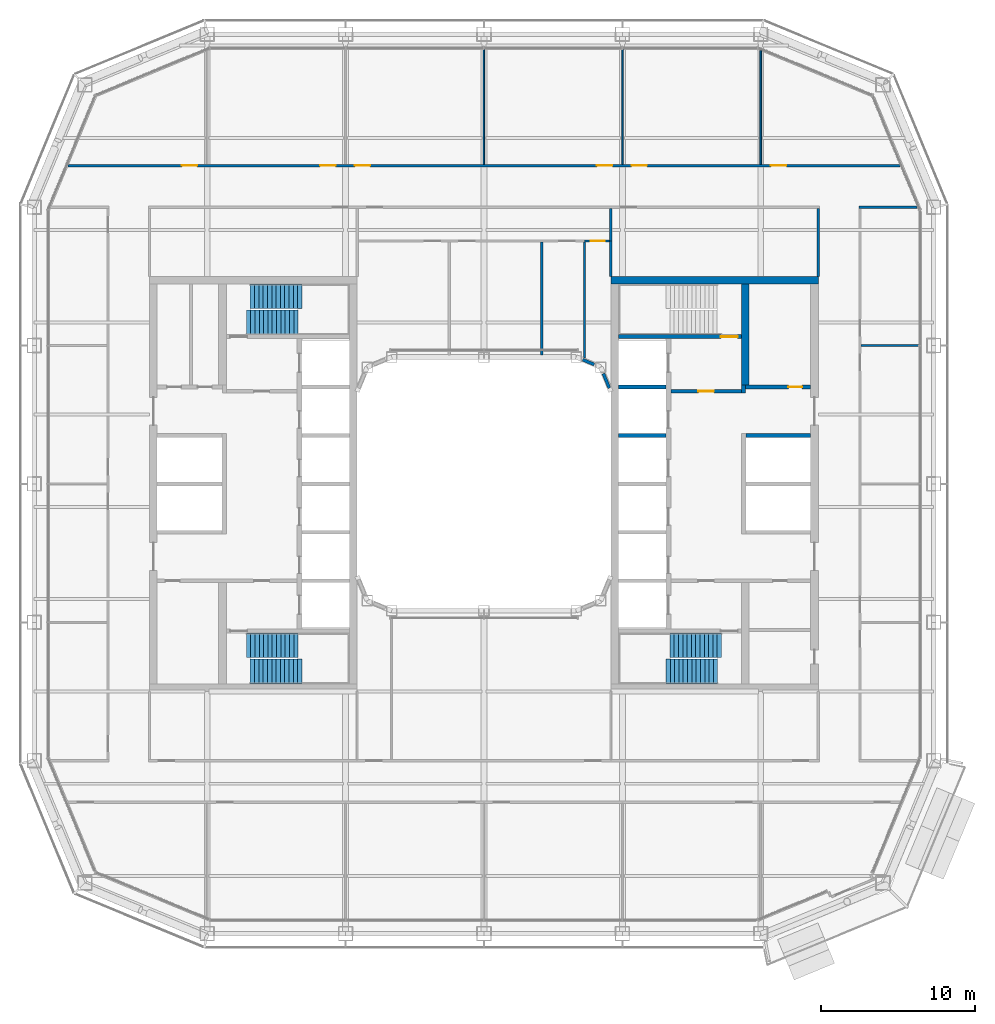
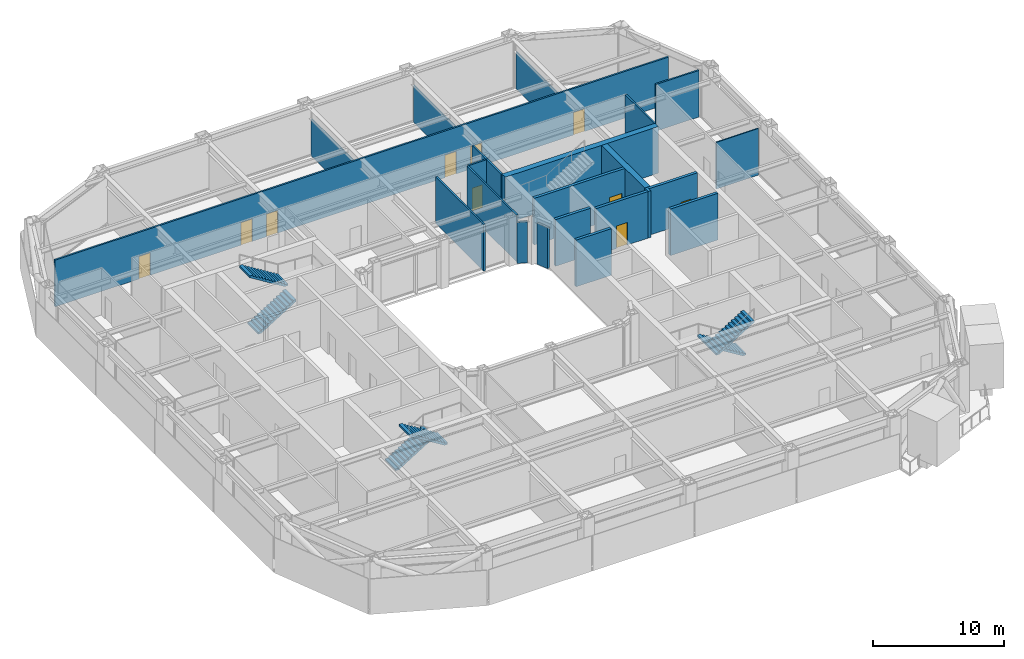
# One storey, part 14 of 23: 23 walls, 10 doors, 6 stair flights, 10 openings, 3 elements without a shape of their own.
"""IFC4 building model written with IfcOpenShell, lengths in metres."""

from ifc_helpers import new_model, si_unit, direction, frame, frame_2d, origin, place, context, subcontext, project, spatial, polyline, rectangle, outline, extrude, material, layer, layer_set, type_object, element, fill, aggregate, save


model = new_model("IFC4")

# Units and contexts
model_context = context("Model", 3, precision=1e-05, world=origin(), true_north=direction((0.0, 1.0)))
body_context = subcontext(model_context, "Body", "Model", "MODEL_VIEW")
ifc_project = project(units=[si_unit("LENGTHUNIT", "METRE"), si_unit("AREAUNIT", "SQUARE_METRE"), si_unit("VOLUMEUNIT", "CUBIC_METRE"), si_unit("PLANEANGLEUNIT", "RADIAN"), si_unit("MASSUNIT", "GRAM", prefix="KILO")], contexts=[model_context])

# Site, building, storey
site_placement = place(None, origin())
site = spatial("IfcSite", under=ifc_project, at=site_placement, CompositionType="ELEMENT")
building_placement = place(site_placement, origin())
building = spatial("IfcBuilding", under=site, at=building_placement, Name="Siwar Civic Tower", CompositionType="ELEMENT")
storey_placement = place(building_placement, frame((0.0, 0.0, 127.199951171875)))
storey = spatial("IfcBuildingStorey", under=building, at=storey_placement, Name="L27", CompositionType="ELEMENT", Elevation=127.199951171875)

# Wall, opening, door
ifc_material_1 = material(Name="Gypsum board on steel studs", Category="steel")
ifc_layer_1 = layer(ifc_material_1, 0.14990234375)
ifc_layer_set_1 = layer_set([ifc_layer_1], Name="Gypsum board on steel studs")
wall_type_1 = type_object("IfcWallType", Name="COMPARTMENT PARTITION 150 EI 60", PredefinedType="PARTITIONING", material=ifc_layer_set_1)
wall_1_placement = place(storey_placement, frame((6.5400390625, 15.800048828125, 0.0), z_axis=(0.0, 0.0, 1.0), x_axis=(1.0, 0.0, 0.0)))
wall_1 = element("IfcWall", 1, at=wall_1_placement, inside=storey, type_object=wall_type_1, Name="L27/wall/P12", PredefinedType="PARTITIONING", context=body_context, shape_type="SweptSolid", body=[
    extrude(rectangle(XDim=1.635009765625, YDim=0.14990234375, at=frame_2d((0.8173828125, 0.0))), origin(), (0.0, 0.0, 1.0), 4.35009765625),
])
opening_1_placement = place(wall_1_placement, frame((0.39990234375, 0.0, 0.0)))
opening_1 = element("IfcOpeningElement", 2, at=opening_1_placement, cuts=wall_1, Name="Opening D4", PredefinedType="OPENING", context=body_context, shape_type="SweptSolid", body=[
    extrude(rectangle(XDim=0.89990234375, YDim=2.10009765625, at=frame_2d((0.449951171875, 1.050048828125))), frame((0.0, 0.0849609375, 0.0), z_axis=(0.0, -1.0, 0.0), x_axis=(1.0, 0.0, 0.0)), (0.0, 0.0, 1.0), 0.169921875),
])
ifc_material_2 = material(Name="Timber, painted", Category="wood")
door_type_1 = type_object("IfcDoorType", Name="DOOR 900 X 2100 FD60", OperationType="SINGLE_SWING_LEFT", PredefinedType="DOOR", material=ifc_material_2)
door_1_placement = place(opening_1_placement, origin())
door_1 = element("IfcDoor", 3, at=door_1_placement, inside=storey, type_object=door_type_1, Name="L27-D17", OperationType="SINGLE_SWING_LEFT", OverallHeight=2.10009765625, OverallWidth=0.89990234375, PredefinedType="DOOR", context=body_context, shape_type="SweptSolid", body=[
    extrude(rectangle(XDim=0.89990234375, YDim=2.10009765625, at=frame_2d((0.449951171875, 1.050048828125))), frame((0.0, 0.02490234375, 0.0), z_axis=(0.0, -1.0, 0.0), x_axis=(1.0, 0.0, 0.0)), (0.0, 0.0, 1.0), 0.050048828125),
])
fill(opening_1, door_1)

# Walls
wall_2_placement = place(storey_placement, frame((6.5400390625, 8.18603515625, 0.0), z_axis=(0.0, 0.0, 1.0), x_axis=(0.0, 1.0, 0.0)))
element("IfcWall", 4, at=wall_2_placement, inside=storey, type_object=wall_type_1, Name="L27/wall/P31", PredefinedType="PARTITIONING", context=body_context, shape_type="SweptSolid", body=[
    extrude(rectangle(XDim=7.5390625, YDim=0.14990234375, at=frame_2d((3.76953125, 0.0))), origin(), (0.0, 0.0, 1.0), 4.35009765625),
])
wall_3_placement = place(storey_placement, frame((8.25, 13.5, 0.0), z_axis=(0.0, 0.0, 1.0), x_axis=(0.0, 1.0, 0.0)))
element("IfcWall", 5, at=wall_3_placement, inside=storey, type_object=wall_type_1, Name="L27/wall/P34", PredefinedType="PARTITIONING", context=body_context, shape_type="SweptSolid", body=[
    extrude(rectangle(XDim=2.300048828125, YDim=0.14990234375, at=frame_2d((1.14990234375, 0.0))), origin(), (0.0, 0.0, 1.0), 4.35009765625),
])

# Wall, opening, door
ifc_material_3 = material(Name="Concrete C60/75", Category="concrete")
ifc_layer_2 = layer(ifc_material_3, 0.25)
ifc_layer_set_2 = layer_set([ifc_layer_2], Name="Concrete C60/75")
wall_type_2 = type_object("IfcWallType", Name="CORE-WALL-RC250", PredefinedType="SHEAR", material=ifc_layer_set_2)
wall_4_placement = place(storey_placement, frame((12.14990234375, 6.02490234375, 0.0), z_axis=(0.0, 0.0, 1.0), x_axis=(1.0, 0.0, 0.0)))
wall_4 = element("IfcWall", 6, at=wall_4_placement, inside=storey, type_object=wall_type_2, Name="Core wall E", PredefinedType="SHEAR", context=body_context, shape_type="SweptSolid", body=[
    extrude(rectangle(XDim=4.60009765625, YDim=0.25, at=frame_2d((2.300048828125, 0.0))), origin(), (0.0, 0.0, 1.0), 4.35009765625),
])
opening_2_placement = place(wall_4_placement, frame((1.800048828125, 0.0, 0.0)))
opening_2 = element("IfcOpeningElement", 7, at=opening_2_placement, cuts=wall_4, Name="Opening L27-CE01", PredefinedType="OPENING", context=body_context, shape_type="SweptSolid", body=[
    extrude(rectangle(XDim=1.0, YDim=2.10009765625, at=frame_2d((0.5, 1.050048828125))), frame((0.0, 0.135009765625, 0.0), z_axis=(0.0, -1.0, 0.0), x_axis=(1.0, 0.0, 0.0)), (0.0, 0.0, 1.0), 0.27001953125),
])
ifc_material_4 = material(Name="Steel door leaf", Category="steel")
door_type_2 = type_object("IfcDoorType", Name="CORE-DOOR-FD30S", OperationType="SINGLE_SWING_LEFT", PredefinedType="DOOR", material=ifc_material_4)
door_2_placement = place(opening_2_placement, origin())
door_2 = element("IfcDoor", 8, at=door_2_placement, inside=storey, type_object=door_type_2, Name="Firefighting lobby door L27-CE01", OperationType="SINGLE_SWING_RIGHT", OverallHeight=2.10009765625, OverallWidth=1.0, PredefinedType="DOOR", context=body_context, shape_type="SweptSolid", body=[
    extrude(rectangle(XDim=1.0, YDim=2.10009765625, at=frame_2d((0.5, 1.050048828125))), frame((0.0, 0.02490234375, 0.0), z_axis=(0.0, -1.0, 0.0), x_axis=(1.0, 0.0, 0.0)), (0.0, 0.0, 1.0), 0.050048828125),
])
fill(opening_2, door_2)

# Wall
wall_5_placement = place(storey_placement, frame((16.875, 5.89990234375, 0.0), z_axis=(0.0, 0.0, 1.0), x_axis=(0.0, 1.0, 0.0)))
element("IfcWall", 9, at=wall_5_placement, inside=storey, type_object=wall_type_2, Name="Core wall E", PredefinedType="SHEAR", context=body_context, shape_type="SweptSolid", body=[
    extrude(rectangle(XDim=0.525146484375, YDim=0.25, at=frame_2d((0.2626953125, 0.0))), origin(), (0.0, 0.0, 1.0), 4.35009765625),
])

# Wall, opening, door
wall_6_placement = place(storey_placement, frame((17.0, 6.300048828125, 0.0), z_axis=(0.0, 0.0, 1.0), x_axis=(1.0, 0.0, 0.0)))
wall_6 = element("IfcWall", 10, at=wall_6_placement, inside=storey, type_object=wall_type_2, Name="Core wall E", PredefinedType="SHEAR", context=body_context, shape_type="SweptSolid", body=[
    extrude(rectangle(XDim=4.25, YDim=0.25, at=frame_2d((2.125, 0.0))), origin(), (0.0, 0.0, 1.0), 4.35009765625),
])
opening_3_placement = place(wall_6_placement, frame((2.800048828125, 0.0, 0.0)))
opening_3 = element("IfcOpeningElement", 11, at=opening_3_placement, cuts=wall_6, Name="Opening L27-CE13", PredefinedType="OPENING", context=body_context, shape_type="SweptSolid", body=[
    extrude(rectangle(XDim=0.89990234375, YDim=2.10009765625, at=frame_2d((0.449951171875, 1.050048828125))), frame((0.0, 0.135009765625, 0.0), z_axis=(0.0, -1.0, 0.0), x_axis=(1.0, 0.0, 0.0)), (0.0, 0.0, 1.0), 0.27001953125),
])
ifc_material_5 = material(Name="Steel door leaf", Category="steel")
door_type_3 = type_object("IfcDoorType", Name="CORE-DOOR-ROOM", OperationType="SINGLE_SWING_LEFT", PredefinedType="DOOR", material=ifc_material_5)
door_3_placement = place(opening_3_placement, origin())
door_3 = element("IfcDoor", 12, at=door_3_placement, inside=storey, type_object=door_type_3, Name="Core room door L27-CE13", OperationType="SINGLE_SWING_LEFT", OverallHeight=2.10009765625, OverallWidth=0.89990234375, PredefinedType="DOOR", context=body_context, shape_type="SweptSolid", body=[
    extrude(rectangle(XDim=0.89990234375, YDim=2.10009765625, at=frame_2d((0.449951171875, 1.050048828125))), frame((0.0, 0.02490234375, 0.0), z_axis=(0.0, -1.0, 0.0), x_axis=(1.0, 0.0, 0.0)), (0.0, 0.0, 1.0), 0.050048828125),
])
fill(opening_3, door_3)

# Walls
wall_7_placement = place(storey_placement, frame((17.050048828125, 3.14990234375, 0.0), z_axis=(0.0, 0.0, 1.0), x_axis=(1.0, 0.0, 0.0)))
element("IfcWall", 13, at=wall_7_placement, inside=storey, type_object=wall_type_2, Name="Core wall E", PredefinedType="SHEAR", context=body_context, shape_type="SweptSolid", body=[
    extrude(rectangle(XDim=4.199951171875, YDim=0.25, at=frame_2d((2.10009765625, 0.0))), origin(), (0.0, 0.0, 1.0), 4.35009765625),
])
for number, where, z_axis, x_axis, name in (
    (14, (8.75, 3.14990234375, 0.0), (0.0, 0.0, 1.0), (1.0, 0.0, 0.0), "Core wall E"),
    (15, (8.75, 6.300048828125, 0.0), (0.0, 0.0, 1.0), (1.0, 0.0, 0.0), "Core wall E"),
):
    element("IfcWall", number, at=place(storey_placement, frame(where, z_axis=z_axis, x_axis=x_axis)), inside=storey, type_object=wall_type_2, Name=name, PredefinedType="SHEAR", context=body_context, shape_type="SweptSolid", body=[
        extrude(rectangle(XDim=3.10009765625, YDim=0.25, at=frame_2d((1.550048828125, 0.0))), origin(), (0.0, 0.0, 1.0), 4.35009765625),
    ])

# Wall, opening, door
wall_8_placement = place(storey_placement, frame((8.75, 9.574951171875, 0.0), z_axis=(0.0, 0.0, 1.0), x_axis=(1.0, 0.0, 0.0)))
wall_8 = element("IfcWall", 16, at=wall_8_placement, inside=storey, type_object=wall_type_2, Name="Core wall E", PredefinedType="SHEAR", context=body_context, shape_type="SweptSolid", body=[
    extrude(rectangle(XDim=8.0, YDim=0.25, at=frame_2d((4.0, 0.0))), origin(), (0.0, 0.0, 1.0), 4.35009765625),
])
opening_4_placement = place(wall_8_placement, frame((6.64990234375, 0.0, 0.0)))
opening_4 = element("IfcOpeningElement", 17, at=opening_4_placement, cuts=wall_8, Name="Opening L27-CE03", PredefinedType="OPENING", context=body_context, shape_type="SweptSolid", body=[
    extrude(rectangle(XDim=1.10009765625, YDim=2.10009765625, at=frame_2d((0.550048828125, 1.050048828125))), frame((0.0, 0.135009765625, 0.0), z_axis=(0.0, -1.0, 0.0), x_axis=(1.0, 0.0, 0.0)), (0.0, 0.0, 1.0), 0.27001953125),
])
ifc_material_6 = material(Name="Steel door leaf", Category="steel")
door_type_4 = type_object("IfcDoorType", Name="CORE-DOOR-FD60S", OperationType="SINGLE_SWING_LEFT", PredefinedType="DOOR", material=ifc_material_6)
door_4_placement = place(opening_4_placement, origin())
door_4 = element("IfcDoor", 18, at=door_4_placement, inside=storey, type_object=door_type_4, Name="Stair door L27-CE03", OperationType="SINGLE_SWING_LEFT", OverallHeight=2.10009765625, OverallWidth=1.10009765625, PredefinedType="DOOR", context=body_context, shape_type="SweptSolid", body=[
    extrude(rectangle(XDim=1.10009765625, YDim=2.10009765625, at=frame_2d((0.550048828125, 1.050048828125))), frame((0.0, 0.02490234375, 0.0), z_axis=(0.0, -1.0, 0.0), x_axis=(1.0, 0.0, 0.0)), (0.0, 0.0, 1.0), 0.050048828125),
])
fill(opening_4, door_4)

# Walls
ifc_material_7 = material(Name="Concrete C60/75", Category="concrete")
ifc_layer_3 = layer(ifc_material_7, 0.5)
ifc_layer_set_3 = layer_set([ifc_layer_3], Name="Concrete C60/75")
wall_type_3 = type_object("IfcWallType", Name="CORE-WALL-RC500", PredefinedType="SHEAR", material=ifc_layer_set_3)
wall_9_placement = place(storey_placement, frame((17.0, 6.425048828125, 0.0), z_axis=(0.0, 0.0, 1.0), x_axis=(0.0, 1.0, 0.0)))
element("IfcWall", 19, at=wall_9_placement, inside=storey, type_object=wall_type_3, Name="Core wall E", PredefinedType="SHEAR", context=body_context, shape_type="SweptSolid", body=[
    extrude(rectangle(XDim=6.574951171875, YDim=0.5, at=frame_2d((3.28759765625, 0.0))), origin(), (0.0, 0.0, 1.0), 4.35009765625),
])
wall_10_placement = place(storey_placement, frame((8.25, 13.25, 0.0), z_axis=(0.0, 0.0, 1.0), x_axis=(1.0, 0.0, 0.0)))
element("IfcWall", 20, at=wall_10_placement, inside=storey, type_object=wall_type_3, Name="Core wall E", PredefinedType="SHEAR", context=body_context, shape_type="SweptSolid", body=[
    extrude(rectangle(XDim=13.5, YDim=0.5, at=frame_2d((6.75, 0.0))), origin(), (0.0, 0.0, 1.0), 4.35009765625),
])
ifc_material_8 = material(Name="Gypsum board on steel studs", Category="steel")
ifc_layer_4 = layer(ifc_material_8, 0.14990234375)
ifc_layer_set_4 = layer_set([ifc_layer_4], Name="Gypsum board on steel studs")
wall_type_4 = type_object("IfcWallType", Name="CORRIDOR PARTITION 150 EI 30", PredefinedType="PARTITIONING", material=ifc_layer_set_4)
wall_11_placement = place(storey_placement, frame((24.375, 18.0, 0.0), z_axis=(0.0, 0.0, 1.0), x_axis=(1.0, 0.0, 0.0)))
element("IfcWall", 21, at=wall_11_placement, inside=storey, type_object=wall_type_4, Name="L27/wall/P15", PredefinedType="PARTITIONING", context=body_context, shape_type="SweptSolid", body=[
    extrude(rectangle(XDim=3.802978515625, YDim=0.14990234375, at=frame_2d((1.9013671875, 0.0))), origin(), (0.0, 0.0, 1.0), 4.35009765625),
])

# Wall, openings, doors
wall_12_placement = place(storey_placement, frame((-27.06005859375, 20.699951171875, 0.0), z_axis=(0.0, 0.0, 1.0), x_axis=(1.0, 0.0, 0.0)))
wall_12 = element("IfcWall", 22, at=wall_12_placement, inside=storey, type_object=wall_type_4, Name="L27/wall/P16", PredefinedType="PARTITIONING", context=body_context, shape_type="SweptSolid", body=[
    extrude(rectangle(XDim=54.1201171875, YDim=0.14990234375, at=frame_2d((27.06005859375, 0.0))), origin(), (0.0, 0.0, 1.0), 4.35009765625),
])
opening_5_placement = place(wall_12_placement, frame((16.409912109375, 0.0, 0.0)))
opening_5 = element("IfcOpeningElement", 23, at=opening_5_placement, cuts=wall_12, Name="Opening D1", PredefinedType="OPENING", context=body_context, shape_type="SweptSolid", body=[
    extrude(rectangle(XDim=1.0, YDim=2.10009765625, at=frame_2d((0.5, 1.050048828125))), frame((0.0, 0.0849609375, 0.0), z_axis=(0.0, -1.0, 0.0), x_axis=(1.0, 0.0, 0.0)), (0.0, 0.0, 1.0), 0.169921875),
])
opening_6_placement = place(wall_12_placement, frame((18.659912109375, 0.0, 0.0)))
opening_6 = element("IfcOpeningElement", 24, at=opening_6_placement, cuts=wall_12, Name="Opening D1", PredefinedType="OPENING", context=body_context, shape_type="SweptSolid", body=[
    extrude(rectangle(XDim=1.0, YDim=2.10009765625, at=frame_2d((0.5, 1.050048828125))), frame((0.0, 0.0849609375, 0.0), z_axis=(0.0, -1.0, 0.0), x_axis=(1.0, 0.0, 0.0)), (0.0, 0.0, 1.0), 0.169921875),
])
opening_7_placement = place(wall_12_placement, frame((34.409912109375, 0.0, 0.0)))
opening_7 = element("IfcOpeningElement", 25, at=opening_7_placement, cuts=wall_12, Name="Opening D1", PredefinedType="OPENING", context=body_context, shape_type="SweptSolid", body=[
    extrude(rectangle(XDim=1.0, YDim=2.10009765625, at=frame_2d((0.5, 1.050048828125))), frame((0.0, 0.0849609375, 0.0), z_axis=(0.0, -1.0, 0.0), x_axis=(1.0, 0.0, 0.0)), (0.0, 0.0, 1.0), 0.169921875),
])
opening_8_placement = place(wall_12_placement, frame((36.659912109375, 0.0, 0.0)))
opening_8 = element("IfcOpeningElement", 26, at=opening_8_placement, cuts=wall_12, Name="Opening D1", PredefinedType="OPENING", context=body_context, shape_type="SweptSolid", body=[
    extrude(rectangle(XDim=1.0, YDim=2.10009765625, at=frame_2d((0.5, 1.050048828125))), frame((0.0, 0.0849609375, 0.0), z_axis=(0.0, -1.0, 0.0), x_axis=(1.0, 0.0, 0.0)), (0.0, 0.0, 1.0), 0.169921875),
])
opening_9_placement = place(wall_12_placement, frame((7.409912109375, 0.0, 0.0)))
opening_9 = element("IfcOpeningElement", 27, at=opening_9_placement, cuts=wall_12, Name="Opening D1", PredefinedType="OPENING", context=body_context, shape_type="SweptSolid", body=[
    extrude(rectangle(XDim=1.0, YDim=2.10009765625, at=frame_2d((0.5, 1.050048828125))), frame((0.0, 0.0849609375, 0.0), z_axis=(0.0, -1.0, 0.0), x_axis=(1.0, 0.0, 0.0)), (0.0, 0.0, 1.0), 0.169921875),
])
opening_10_placement = place(wall_12_placement, frame((45.719970703125, 0.0, 0.0)))
opening_10 = element("IfcOpeningElement", 28, at=opening_10_placement, cuts=wall_12, Name="Opening D1", PredefinedType="OPENING", context=body_context, shape_type="SweptSolid", body=[
    extrude(rectangle(XDim=1.0, YDim=2.10009765625, at=frame_2d((0.5, 1.050048828125))), frame((0.0, 0.0849609375, 0.0), z_axis=(0.0, -1.0, 0.0), x_axis=(1.0, 0.0, 0.0)), (0.0, 0.0, 1.0), 0.169921875),
])
ifc_material_9 = material(Name="Timber, painted", Category="wood")
door_type_5 = type_object("IfcDoorType", Name="DOOR 1000 X 2100 FD30", OperationType="SINGLE_SWING_LEFT", PredefinedType="DOOR", material=ifc_material_9)
door_5_placement = place(opening_5_placement, origin())
door_5 = element("IfcDoor", 29, at=door_5_placement, inside=storey, type_object=door_type_5, Name="L27-D01", OperationType="SINGLE_SWING_LEFT", OverallHeight=2.10009765625, OverallWidth=1.0, PredefinedType="DOOR", context=body_context, shape_type="SweptSolid", body=[
    extrude(rectangle(XDim=1.0, YDim=2.10009765625, at=frame_2d((0.5, 1.050048828125))), frame((0.0, 0.02490234375, 0.0), z_axis=(0.0, -1.0, 0.0), x_axis=(1.0, 0.0, 0.0)), (0.0, 0.0, 1.0), 0.050048828125),
])
fill(opening_5, door_5)
door_6_placement = place(opening_6_placement, origin())
door_6 = element("IfcDoor", 30, at=door_6_placement, inside=storey, type_object=door_type_5, Name="L27-D02", OperationType="SINGLE_SWING_RIGHT", OverallHeight=2.10009765625, OverallWidth=1.0, PredefinedType="DOOR", context=body_context, shape_type="SweptSolid", body=[
    extrude(rectangle(XDim=1.0, YDim=2.10009765625, at=frame_2d((0.5, 1.050048828125))), frame((0.0, 0.02490234375, 0.0), z_axis=(0.0, -1.0, 0.0), x_axis=(1.0, 0.0, 0.0)), (0.0, 0.0, 1.0), 0.050048828125),
])
fill(opening_6, door_6)
door_7_placement = place(opening_7_placement, origin())
door_7 = element("IfcDoor", 31, at=door_7_placement, inside=storey, type_object=door_type_5, Name="L27-D03", OperationType="SINGLE_SWING_LEFT", OverallHeight=2.10009765625, OverallWidth=1.0, PredefinedType="DOOR", context=body_context, shape_type="SweptSolid", body=[
    extrude(rectangle(XDim=1.0, YDim=2.10009765625, at=frame_2d((0.5, 1.050048828125))), frame((0.0, 0.02490234375, 0.0), z_axis=(0.0, -1.0, 0.0), x_axis=(1.0, 0.0, 0.0)), (0.0, 0.0, 1.0), 0.050048828125),
])
fill(opening_7, door_7)
door_8_placement = place(opening_8_placement, origin())
door_8 = element("IfcDoor", 32, at=door_8_placement, inside=storey, type_object=door_type_5, Name="L27-D04", OperationType="SINGLE_SWING_RIGHT", OverallHeight=2.10009765625, OverallWidth=1.0, PredefinedType="DOOR", context=body_context, shape_type="SweptSolid", body=[
    extrude(rectangle(XDim=1.0, YDim=2.10009765625, at=frame_2d((0.5, 1.050048828125))), frame((0.0, 0.02490234375, 0.0), z_axis=(0.0, -1.0, 0.0), x_axis=(1.0, 0.0, 0.0)), (0.0, 0.0, 1.0), 0.050048828125),
])
fill(opening_8, door_8)
door_9_placement = place(opening_9_placement, origin())
door_9 = element("IfcDoor", 33, at=door_9_placement, inside=storey, type_object=door_type_5, Name="L27-D09", OperationType="SINGLE_SWING_LEFT", OverallHeight=2.10009765625, OverallWidth=1.0, PredefinedType="DOOR", context=body_context, shape_type="SweptSolid", body=[
    extrude(rectangle(XDim=1.0, YDim=2.10009765625, at=frame_2d((0.5, 1.050048828125))), frame((0.0, 0.02490234375, 0.0), z_axis=(0.0, -1.0, 0.0), x_axis=(1.0, 0.0, 0.0)), (0.0, 0.0, 1.0), 0.050048828125),
])
fill(opening_9, door_9)
door_10_placement = place(opening_10_placement, origin())
door_10 = element("IfcDoor", 34, at=door_10_placement, inside=storey, type_object=door_type_5, Name="L27-D10", OperationType="SINGLE_SWING_RIGHT", OverallHeight=2.10009765625, OverallWidth=1.0, PredefinedType="DOOR", context=body_context, shape_type="SweptSolid", body=[
    extrude(rectangle(XDim=1.0, YDim=2.10009765625, at=frame_2d((0.5, 1.050048828125))), frame((0.0, 0.02490234375, 0.0), z_axis=(0.0, -1.0, 0.0), x_axis=(1.0, 0.0, 0.0)), (0.0, 0.0, 1.0), 0.050048828125),
])
fill(opening_10, door_10)

# Walls
wall_13_placement = place(storey_placement, frame((3.75, 8.3701171875, 0.0), z_axis=(0.0, 0.0, 1.0), x_axis=(0.0, 1.0, 0.0)))
element("IfcWall", 35, at=wall_13_placement, inside=storey, type_object=wall_type_4, Name="L27/wall/P30", PredefinedType="PARTITIONING", context=body_context, shape_type="SweptSolid", body=[
    extrude(rectangle(XDim=7.35498046875, YDim=0.14990234375, at=frame_2d((3.677490234375, 0.0))), origin(), (0.0, 0.0, 1.0), 4.35009765625),
])
wall_14_placement = place(storey_placement, frame((8.25, 15.800048828125, 0.0), z_axis=(0.0, 0.0, 1.0), x_axis=(0.0, 1.0, 0.0)))
element("IfcWall", 36, at=wall_14_placement, inside=storey, type_object=wall_type_4, Name="L27/wall/P33", PredefinedType="PARTITIONING", context=body_context, shape_type="SweptSolid", body=[
    extrude(rectangle(XDim=2.125, YDim=0.14990234375, at=frame_2d((1.0625, 0.0))), origin(), (0.0, 0.0, 1.0), 4.35009765625),
])
wall_15_placement = place(storey_placement, frame((21.75, 13.5, 0.0), z_axis=(0.0, 0.0, 1.0), x_axis=(0.0, 1.0, 0.0)))
element("IfcWall", 37, at=wall_15_placement, inside=storey, type_object=wall_type_4, Name="L27/wall/P40", PredefinedType="PARTITIONING", context=body_context, shape_type="SweptSolid", body=[
    extrude(rectangle(XDim=4.425048828125, YDim=0.14990234375, at=frame_2d((2.21240234375, 0.0))), origin(), (0.0, 0.0, 1.0), 4.35009765625),
])
ifc_material_10 = material(Name="Aluminium clad insulated panel", Category="aluminium")
ifc_layer_5 = layer(ifc_material_10, 0.199951171875)
ifc_layer_set_5 = layer_set([ifc_layer_5], Name="Aluminium clad insulated panel")
wall_type_5 = type_object("IfcWallType", Name="ENV-WALL-WELL", PredefinedType="STANDARD", material=ifc_layer_set_5)
wall_16_placement = place(storey_placement, frame((8.154296875, 6.23095703125, 0.0), z_axis=(0.0, 0.0, 1.0), x_axis=(-0.382769662028, 0.923843810301, 0.0)))
element("IfcWall", 38, at=wall_16_placement, inside=storey, type_object=wall_type_5, Name="Light well corner wall NE1", PredefinedType="STANDARD", context=body_context, shape_type="SweptSolid", body=[
    extrude(rectangle(XDim=1.014892578125, YDim=0.199951171875, at=frame_2d((0.50732421875, 0.0))), origin(), (0.0, 0.0, 1.0), 3.825927734375),
])
wall_17_placement = place(storey_placement, frame((7.16845703125, 7.765869140625, 0.0), z_axis=(0.0, 0.0, 1.0), x_axis=(-0.923817771127, 0.382832503518, 0.0)))
element("IfcWall", 39, at=wall_17_placement, inside=storey, type_object=wall_type_5, Name="Light well corner wall NE2", PredefinedType="STANDARD", context=body_context, shape_type="SweptSolid", body=[
    extrude(rectangle(XDim=0.807373046875, YDim=0.199951171875, at=frame_2d((0.40380859375, 0.0))), origin(), (0.0, 0.0, 1.0), 3.825927734375),
])
ifc_material_11 = material(Name="Gypsum board on steel studs", Category="steel")
ifc_layer_6 = layer(ifc_material_11, 0.10009765625)
ifc_layer_set_6 = layer_set([ifc_layer_6], Name="Gypsum board on steel studs")
wall_type_6 = type_object("IfcWallType", Name="PARTITION 100 GYPSUM", PredefinedType="PARTITIONING", material=ifc_layer_set_6)
wall_18_placement = place(storey_placement, frame((24.52490234375, 9.0, 0.0), z_axis=(0.0, 0.0, 1.0), x_axis=(1.0, 0.0, 0.0)))
element("IfcWall", 40, at=wall_18_placement, inside=storey, type_object=wall_type_6, Name="L27/wall/P10", PredefinedType="PARTITIONING", context=body_context, shape_type="SweptSolid", body=[
    extrude(rectangle(XDim=3.735107421875, YDim=0.10009765625, at=frame_2d((1.86767578125, 0.0))), origin(), (0.0, 0.0, 1.0), 4.35009765625),
])
for number, where, z_axis, x_axis, name in (
    (41, (0.0, 20.77490234375, 0.0), (0.0, 0.0, 1.0), (0.0, 1.0, 0.0), "L27/wall/P29"),
    (42, (9.0, 20.77490234375, 0.0), (0.0, 0.0, 1.0), (0.0, 1.0, 0.0), "L27/wall/P36"),
):
    element("IfcWall", number, at=place(storey_placement, frame(where, z_axis=z_axis, x_axis=x_axis)), inside=storey, type_object=wall_type_6, Name=name, PredefinedType="PARTITIONING", context=body_context, shape_type="SweptSolid", body=[
        extrude(rectangle(XDim=7.485107421875, YDim=0.10009765625, at=frame_2d((3.74267578125, 0.0))), origin(), (0.0, 0.0, 1.0), 3.449951171875),
    ])
wall_19_placement = place(storey_placement, frame((18.0, 20.77490234375, 0.0), z_axis=(0.0, 0.0, 1.0), x_axis=(0.0, 1.0, 0.0)))
element("IfcWall", 43, at=wall_19_placement, inside=storey, type_object=wall_type_6, Name="L27/wall/P38", PredefinedType="PARTITIONING", context=body_context, shape_type="SweptSolid", body=[
    extrude(rectangle(XDim=7.403076171875, YDim=0.10009765625, at=frame_2d((3.70166015625, 0.0))), origin(), (0.0, 0.0, 1.0), 3.449951171875),
])

# Stair, stair flights
ifc_material_12 = material(Name="Concrete C40/50", Category="concrete")
stair_type = type_object("IfcStairType", Name="CORE-STAIR", PredefinedType="TWO_STRAIGHT_RUN_STAIR", material=ifc_material_12)
stair_1_placement = place(storey_placement, origin())
stair_1 = element("IfcStair", 44, at=stair_1_placement, inside=storey, type_object=stair_type, Name="Exit stair ST1", PredefinedType="TWO_STRAIGHT_RUN_STAIR")
ifc_material_13 = material(Name="Concrete C40/50", Category="concrete")
stair_flight_type = type_object("IfcStairFlightType", Name="CORE-STAIR-FLIGHT", PredefinedType="STRAIGHT", material=ifc_material_13)
stair_flight_1_placement = place(storey_placement, frame((-15.449951171875, 10.5, 0.0), z_axis=(0.0, 0.0, 1.0), x_axis=(1.0, 0.0, 0.0)))
stair_flight_1 = element("IfcStairFlight", 45, at=stair_flight_1_placement, type_object=stair_flight_type, Name="ST1 flight 1", NumberOfRisers=13, NumberOfTreads=12, PredefinedType="STRAIGHT", RiserHeight=0.173076923, TreadLength=0.28, context=body_context, shape_type="SweptSolid", body=[
    extrude(outline(polyline([(0.0, 0.0), (0.0, 0.173095703125), (0.280029296875, 0.173095703125), (0.280029296875, 0.34619140625), (0.56005859375, 0.34619140625), (0.56005859375, 0.519287109375), (0.840087890625, 0.519287109375), (0.840087890625, 0.6923828125), (1.1201171875, 0.6923828125), (1.1201171875, 0.865478515625), (1.39990234375, 0.865478515625), (1.39990234375, 1.03857421875), (1.679931640625, 1.03857421875), (1.679931640625, 1.21142578125), (1.9599609375, 1.21142578125), (1.9599609375, 1.384521484375), (2.239990234375, 1.384521484375), (2.239990234375, 1.5576171875), (2.52001953125, 1.5576171875), (2.52001953125, 1.730712890625), (2.800048828125, 1.730712890625), (2.800048828125, 1.90380859375), (3.080078125, 1.90380859375), (3.080078125, 2.076904296875), (3.360107421875, 2.076904296875), (3.360107421875, 2.25), (3.360107421875, 1.900634765625), (0.28515625, 0.0), (0.0, 0.0)])), frame((0.0, 0.800048828125, 0.0), z_axis=(0.0, -1.0, 0.0), x_axis=(1.0, 0.0, 0.0)), (0.0, 0.0, 1.0), 1.60009765625),
])
stair_flight_2_placement = place(storey_placement, frame((-11.840087890625, 12.199951171875, 2.25), z_axis=(0.0, 0.0, 1.0), x_axis=(-1.0, 0.0, 0.0)))
stair_flight_2 = element("IfcStairFlight", 46, at=stair_flight_2_placement, type_object=stair_flight_type, Name="ST1 flight 2", NumberOfRisers=13, NumberOfTreads=12, PredefinedType="STRAIGHT", RiserHeight=0.173076923, TreadLength=0.28, context=body_context, shape_type="SweptSolid", body=[
    extrude(outline(polyline([(0.0, 0.0), (0.0, 0.173095703125), (0.280029296875, 0.173095703125), (0.280029296875, 0.34619140625), (0.56005859375, 0.34619140625), (0.56005859375, 0.519287109375), (0.840087890625, 0.519287109375), (0.840087890625, 0.6923828125), (1.1201171875, 0.6923828125), (1.1201171875, 0.865478515625), (1.39990234375, 0.865478515625), (1.39990234375, 1.03857421875), (1.679931640625, 1.03857421875), (1.679931640625, 1.21142578125), (1.9599609375, 1.21142578125), (1.9599609375, 1.384521484375), (2.239990234375, 1.384521484375), (2.239990234375, 1.5576171875), (2.52001953125, 1.5576171875), (2.52001953125, 1.730712890625), (2.800048828125, 1.730712890625), (2.800048828125, 1.90380859375), (3.080078125, 1.90380859375), (3.080078125, 2.076904296875), (3.360107421875, 2.076904296875), (3.360107421875, 2.25), (3.360107421875, 1.900634765625), (0.28515625, 0.0), (0.0, 0.0)])), frame((0.0, 0.800048828125, 0.0), z_axis=(0.0, -1.0, 0.0), x_axis=(1.0, 0.0, 0.0)), (0.0, 0.0, 1.0), 1.60009765625),
])
aggregate(stair_1, [stair_flight_1, stair_flight_2])

stair_2_placement = place(storey_placement, origin())
stair_2 = element("IfcStair", 47, at=stair_2_placement, inside=storey, type_object=stair_type, Name="Exit stair ST2", PredefinedType="TWO_STRAIGHT_RUN_STAIR")
stair_flight_3_placement = place(storey_placement, frame((-15.449951171875, -10.5, 0.0), z_axis=(0.0, 0.0, 1.0), x_axis=(1.0, 0.0, 0.0)))
stair_flight_3 = element("IfcStairFlight", 48, at=stair_flight_3_placement, type_object=stair_flight_type, Name="ST2 flight 1", NumberOfRisers=13, NumberOfTreads=12, PredefinedType="STRAIGHT", RiserHeight=0.173076923, TreadLength=0.28, context=body_context, shape_type="SweptSolid", body=[
    extrude(outline(polyline([(0.0, 0.0), (0.0, 0.173095703125), (0.280029296875, 0.173095703125), (0.280029296875, 0.34619140625), (0.56005859375, 0.34619140625), (0.56005859375, 0.519287109375), (0.840087890625, 0.519287109375), (0.840087890625, 0.6923828125), (1.1201171875, 0.6923828125), (1.1201171875, 0.865478515625), (1.39990234375, 0.865478515625), (1.39990234375, 1.03857421875), (1.679931640625, 1.03857421875), (1.679931640625, 1.21142578125), (1.9599609375, 1.21142578125), (1.9599609375, 1.384521484375), (2.239990234375, 1.384521484375), (2.239990234375, 1.5576171875), (2.52001953125, 1.5576171875), (2.52001953125, 1.730712890625), (2.800048828125, 1.730712890625), (2.800048828125, 1.90380859375), (3.080078125, 1.90380859375), (3.080078125, 2.076904296875), (3.360107421875, 2.076904296875), (3.360107421875, 2.25), (3.360107421875, 1.900634765625), (0.28515625, 0.0), (0.0, 0.0)])), frame((0.0, 0.800048828125, 0.0), z_axis=(0.0, -1.0, 0.0), x_axis=(1.0, 0.0, 0.0)), (0.0, 0.0, 1.0), 1.60009765625),
])
stair_flight_4_placement = place(storey_placement, frame((-11.840087890625, -12.199951171875, 2.25), z_axis=(0.0, 0.0, 1.0), x_axis=(-1.0, 0.0, 0.0)))
stair_flight_4 = element("IfcStairFlight", 49, at=stair_flight_4_placement, type_object=stair_flight_type, Name="ST2 flight 2", NumberOfRisers=13, NumberOfTreads=12, PredefinedType="STRAIGHT", RiserHeight=0.173076923, TreadLength=0.28, context=body_context, shape_type="SweptSolid", body=[
    extrude(outline(polyline([(0.0, 0.0), (0.0, 0.173095703125), (0.280029296875, 0.173095703125), (0.280029296875, 0.34619140625), (0.56005859375, 0.34619140625), (0.56005859375, 0.519287109375), (0.840087890625, 0.519287109375), (0.840087890625, 0.6923828125), (1.1201171875, 0.6923828125), (1.1201171875, 0.865478515625), (1.39990234375, 0.865478515625), (1.39990234375, 1.03857421875), (1.679931640625, 1.03857421875), (1.679931640625, 1.21142578125), (1.9599609375, 1.21142578125), (1.9599609375, 1.384521484375), (2.239990234375, 1.384521484375), (2.239990234375, 1.5576171875), (2.52001953125, 1.5576171875), (2.52001953125, 1.730712890625), (2.800048828125, 1.730712890625), (2.800048828125, 1.90380859375), (3.080078125, 1.90380859375), (3.080078125, 2.076904296875), (3.360107421875, 2.076904296875), (3.360107421875, 2.25), (3.360107421875, 1.900634765625), (0.28515625, 0.0), (0.0, 0.0)])), frame((0.0, 0.800048828125, 0.0), z_axis=(0.0, -1.0, 0.0), x_axis=(1.0, 0.0, 0.0)), (0.0, 0.0, 1.0), 1.60009765625),
])
aggregate(stair_2, [stair_flight_3, stair_flight_4])

stair_3_placement = place(storey_placement, origin())
stair_3 = element("IfcStair", 50, at=stair_3_placement, inside=storey, type_object=stair_type, Name="Exit stair ST4", PredefinedType="TWO_STRAIGHT_RUN_STAIR")
stair_flight_5_placement = place(storey_placement, frame((15.449951171875, -10.5, 0.0), z_axis=(0.0, 0.0, 1.0), x_axis=(-1.0, 0.0, 0.0)))
stair_flight_5 = element("IfcStairFlight", 51, at=stair_flight_5_placement, type_object=stair_flight_type, Name="ST4 flight 1", NumberOfRisers=13, NumberOfTreads=12, PredefinedType="STRAIGHT", RiserHeight=0.173076923, TreadLength=0.28, context=body_context, shape_type="SweptSolid", body=[
    extrude(outline(polyline([(0.0, 0.0), (0.0, 0.173095703125), (0.280029296875, 0.173095703125), (0.280029296875, 0.34619140625), (0.56005859375, 0.34619140625), (0.56005859375, 0.519287109375), (0.840087890625, 0.519287109375), (0.840087890625, 0.6923828125), (1.1201171875, 0.6923828125), (1.1201171875, 0.865478515625), (1.39990234375, 0.865478515625), (1.39990234375, 1.03857421875), (1.679931640625, 1.03857421875), (1.679931640625, 1.21142578125), (1.9599609375, 1.21142578125), (1.9599609375, 1.384521484375), (2.239990234375, 1.384521484375), (2.239990234375, 1.5576171875), (2.52001953125, 1.5576171875), (2.52001953125, 1.730712890625), (2.800048828125, 1.730712890625), (2.800048828125, 1.90380859375), (3.080078125, 1.90380859375), (3.080078125, 2.076904296875), (3.360107421875, 2.076904296875), (3.360107421875, 2.25), (3.360107421875, 1.900634765625), (0.28515625, 0.0), (0.0, 0.0)])), frame((0.0, 0.800048828125, 0.0), z_axis=(0.0, -1.0, 0.0), x_axis=(1.0, 0.0, 0.0)), (0.0, 0.0, 1.0), 1.60009765625),
])
stair_flight_6_placement = place(storey_placement, frame((11.840087890625, -12.199951171875, 2.25), z_axis=(0.0, 0.0, 1.0), x_axis=(1.0, 0.0, 0.0)))
stair_flight_6 = element("IfcStairFlight", 52, at=stair_flight_6_placement, type_object=stair_flight_type, Name="ST4 flight 2", NumberOfRisers=13, NumberOfTreads=12, PredefinedType="STRAIGHT", RiserHeight=0.173076923, TreadLength=0.28, context=body_context, shape_type="SweptSolid", body=[
    extrude(outline(polyline([(0.0, 0.0), (0.0, 0.173095703125), (0.280029296875, 0.173095703125), (0.280029296875, 0.34619140625), (0.56005859375, 0.34619140625), (0.56005859375, 0.519287109375), (0.840087890625, 0.519287109375), (0.840087890625, 0.6923828125), (1.1201171875, 0.6923828125), (1.1201171875, 0.865478515625), (1.39990234375, 0.865478515625), (1.39990234375, 1.03857421875), (1.679931640625, 1.03857421875), (1.679931640625, 1.21142578125), (1.9599609375, 1.21142578125), (1.9599609375, 1.384521484375), (2.239990234375, 1.384521484375), (2.239990234375, 1.5576171875), (2.52001953125, 1.5576171875), (2.52001953125, 1.730712890625), (2.800048828125, 1.730712890625), (2.800048828125, 1.90380859375), (3.080078125, 1.90380859375), (3.080078125, 2.076904296875), (3.360107421875, 2.076904296875), (3.360107421875, 2.25), (3.360107421875, 1.900634765625), (0.28515625, 0.0), (0.0, 0.0)])), frame((0.0, 0.800048828125, 0.0), z_axis=(0.0, -1.0, 0.0), x_axis=(1.0, 0.0, 0.0)), (0.0, 0.0, 1.0), 1.60009765625),
])
aggregate(stair_3, [stair_flight_5, stair_flight_6])

save(model, "model.ifc")
